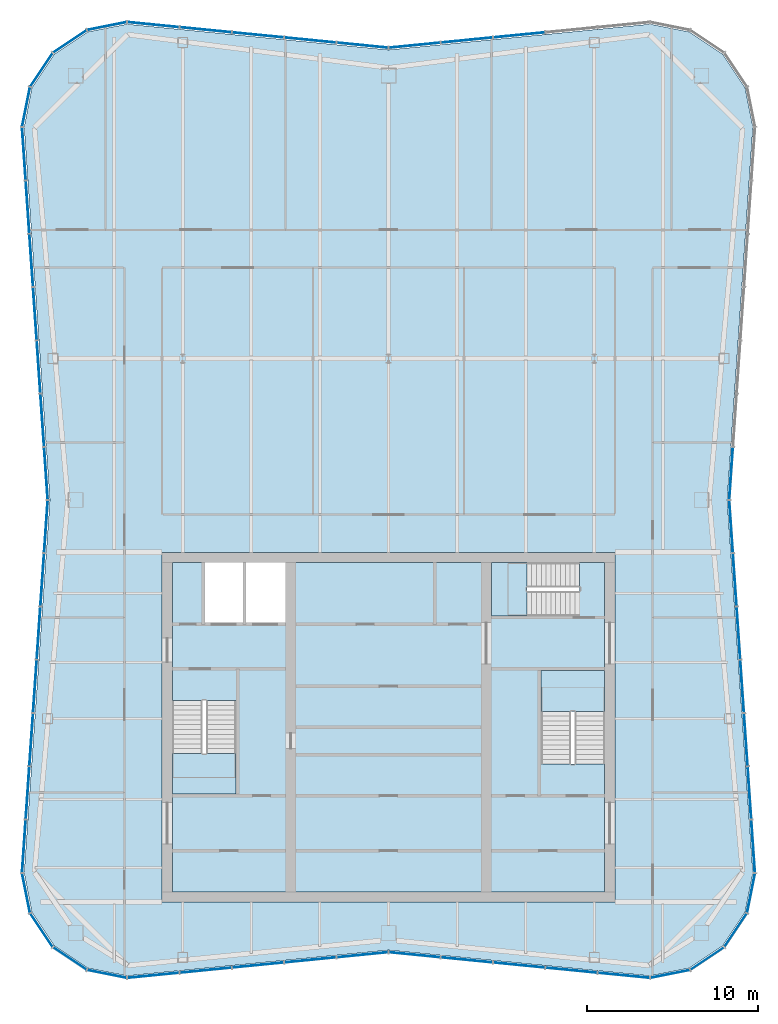
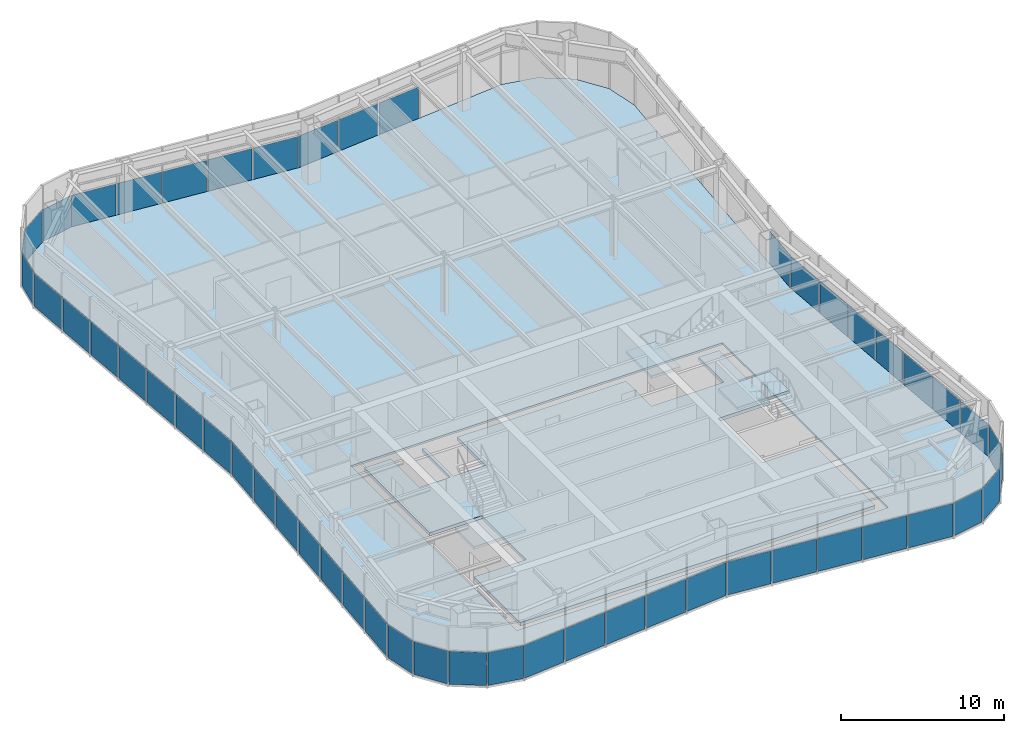
# One storey, part 8 of 13: 52 plates, 5 slabs, 10 elements without a shape of their own.
"""IFC4 building model written with IfcOpenShell, lengths in metres."""

import ifcopenshell
import ifcopenshell.guid

model = None  # the IFC model being written
_history = None  # IfcOwnerHistory: only IFC2X3 demands one
_inside = {}  # id of a spatial element -> (the spatial element, [elements in it])
_under = {}  # id of a project, library or spatial element -> (it, [spatial elements below it])
_declared = {}  # id of a project -> (the project, [libraries it declares])
_typed = {}  # id of a type object -> (the type object, [elements of that type])
_made_of = {}  # id of a material, layer set ... -> (it, [elements and type objects made of it])


def new_model(schema):
    """Start an empty IFC model of exactly this schema.

    Asked for "IFC4X3", IfcOpenShell would pick the latest addendum, in which some entities
    have other attributes; the version numbers below select the first issue.
    IFC2X3 requires an IfcOwnerHistory on every rooted entity: one is made here for all.
    """
    global model, _history
    if schema == "IFC4X3":
        model = ifcopenshell.file(schema_version=(4, 3, 0, 0))
    else:
        model = ifcopenshell.file(schema=schema)
    _inside.clear()
    _under.clear()
    _declared.clear()
    _typed.clear()
    _made_of.clear()
    _history = None
    if model.schema == "IFC2X3":
        org = make("IfcOrganization", Name="unknown")
        user = make(
            "IfcPersonAndOrganization",
            ThePerson=make("IfcPerson", FamilyName="unknown"),
            TheOrganization=org,
        )
        app = make(
            "IfcApplication",
            ApplicationDeveloper=org,
            Version="unknown",
            ApplicationFullName="unknown",
            ApplicationIdentifier="unknown",
        )
        _history = make(
            "IfcOwnerHistory",
            OwningUser=user,
            OwningApplication=app,
            ChangeAction="ADDED",
            CreationDate=0,
        )
    return model


def make(cls, **values):
    """One entity of the class cls with the attributes given. An attribute that is None is left unset."""
    return model.create_entity(
        cls, **{name: value for name, value in values.items() if value is not None}
    )


def rooted(cls, **values):
    """An entity with a GlobalId (a new one), such as an element, a storey or a relation."""
    return make(cls, GlobalId=ifcopenshell.guid.new(), OwnerHistory=_history, **values)


def si_unit(unit_type, name, prefix=None):
    """IfcSIUnit, for example si_unit("LENGTHUNIT", "METRE", prefix="MILLI")."""
    return make("IfcSIUnit", UnitType=unit_type, Prefix=prefix, Name=name)


def assignment(units):
    """IfcUnitAssignment: the units of a project."""
    return None if units is None else make("IfcUnitAssignment", Units=units)


def point(xyz):
    """IfcCartesianPoint."""
    return None if xyz is None else make("IfcCartesianPoint", Coordinates=xyz)


def direction(xyz):
    """IfcDirection."""
    return None if xyz is None else make("IfcDirection", DirectionRatios=xyz)


def frame(location, z_axis=None, x_axis=None):
    """IfcAxis2Placement3D, a coordinate frame: its origin and axes. An axis left out is left unset."""
    return make(
        "IfcAxis2Placement3D",
        Location=point(location),
        Axis=direction(z_axis),
        RefDirection=direction(x_axis),
    )


def frame_2d(location, x_axis=None):
    """IfcAxis2Placement2D, a coordinate frame in the plane: its origin and x axis."""
    return make(
        "IfcAxis2Placement2D", Location=point(location), RefDirection=direction(x_axis)
    )


def origin():
    """The frame at (0, 0, 0) with its axes left unset."""
    return frame((0.0, 0.0, 0.0))


def origin_2d():
    """The frame at (0, 0) in the plane with its x axis left unset."""
    return frame_2d((0.0, 0.0))


def place(relative_to, where):
    """IfcLocalPlacement: puts the frame where relative to a parent placement (None: the world)."""
    return make(
        "IfcLocalPlacement", PlacementRelTo=relative_to, RelativePlacement=where
    )


def context(
    kind, dimensions, precision=None, world=None, true_north=None, identifier=None
):
    """IfcGeometricRepresentationContext, for example the 3D "Model" context."""
    return make(
        "IfcGeometricRepresentationContext",
        ContextIdentifier=identifier,
        ContextType=kind,
        CoordinateSpaceDimension=dimensions,
        Precision=precision,
        WorldCoordinateSystem=world,
        TrueNorth=true_north,
    )


def subcontext(parent, identifier, kind, view, scale=None):
    """IfcGeometricRepresentationSubContext, for example "Body" below "Model"."""
    return make(
        "IfcGeometricRepresentationSubContext",
        ContextIdentifier=identifier,
        ContextType=kind,
        ParentContext=parent,
        TargetScale=scale,
        TargetView=view,
    )


def project(units=None, contexts=None):
    """IfcProject with its units and contexts."""
    return rooted(
        "IfcProject",
        Name="project",
        RepresentationContexts=contexts,
        UnitsInContext=assignment(units),
    )


def spatial(cls, under=None, at=None, **own):
    """A site, building, storey or space (cls), placed at a placement, below another one or the project."""
    s = rooted(cls, ObjectPlacement=at, **own)
    if under is not None:
        _under.setdefault(under.id(), (under, []))[1].append(s)
    return s


def polyline(points):
    """IfcPolyline through the points."""
    return make("IfcPolyline", Points=[point(p) for p in points])


def profile(cls, at=None, kind="AREA", **sizes):
    """A parametric profile (cls). Its sizes go by their IFC names, for example OverallWidth=200.0."""
    return make(cls, ProfileType=kind, Position=at, **sizes)


def rectangle(**sizes):
    """IfcRectangleProfileDef."""
    return profile("IfcRectangleProfileDef", **sizes)


def outline(outer, holes=None, kind="AREA"):
    """IfcArbitraryClosedProfileDef: a profile drawn as a closed curve; with holes, ...WithVoids."""
    if holes is None:
        return make("IfcArbitraryClosedProfileDef", ProfileType=kind, OuterCurve=outer)
    return make(
        "IfcArbitraryProfileDefWithVoids",
        ProfileType=kind,
        OuterCurve=outer,
        InnerCurves=holes,
    )


def extrude(swept, where, along, depth):
    """IfcExtrudedAreaSolid: the profile swept, set in the frame where, extruded along a direction by depth."""
    return make(
        "IfcExtrudedAreaSolid",
        SweptArea=swept,
        Position=where,
        ExtrudedDirection=direction(along),
        Depth=depth,
    )


def shape(context_of_items, identifier, shape_type, items):
    """IfcShapeRepresentation: the items that make up one representation, for example the "Body"."""
    return make(
        "IfcShapeRepresentation",
        ContextOfItems=context_of_items,
        RepresentationIdentifier=identifier,
        RepresentationType=shape_type,
        Items=items,
    )


def material(Name=None, Category=None):
    """IfcMaterial."""
    return make("IfcMaterial", Name=Name, Category=Category)


def layer(
    of_material, thickness, ventilated=None, Name=None, Category=None, Priority=None
):
    """IfcMaterialLayer: one layer of a wall or slab, of a material (None: an air gap)."""
    return make(
        "IfcMaterialLayer",
        Material=of_material,
        LayerThickness=thickness,
        IsVentilated=ventilated,
        Name=Name,
        Category=Category,
        Priority=Priority,
    )


def layer_set(layers, Name=None):
    """IfcMaterialLayerSet."""
    return make("IfcMaterialLayerSet", MaterialLayers=layers, LayerSetName=Name)


def made_of(thing, what):
    """Note that an element or type object is made of a material, layer set ...; save() writes the relation."""
    if what is not None:
        _made_of.setdefault(what.id(), (what, []))[1].append(thing)
    return thing


def type_object(cls, material=None, **own):
    """A type object (cls), such as IfcWallType, which elements share."""
    return made_of(rooted(cls, **own), material)


def element(
    cls,
    number,
    at=None,
    inside=None,
    cuts=None,
    type_object=None,
    material=None,
    context=None,
    identifier="Body",
    shape_type=None,
    held_by="IfcProductDefinitionShape",
    body=None,
    shapes=None,
    **own,
):
    """One element of the class cls, such as IfcWall. Its Tag is "e" and its number.

    at: its placement. inside: the storey or other place that contains it. cuts: it is an
    opening in that element (IfcRelVoidsElement). A single representation is given by context,
    identifier, shape_type and body (its items); several are given by shapes. held_by: the class
    of the entity that holds the representations. save() writes the other relations.
    """
    e = rooted(cls, Tag="e%d" % number, ObjectPlacement=at, **own)
    if body is not None:
        shapes = [shape(context, identifier, shape_type, body)]
    if shapes is not None:
        e.Representation = make(held_by, Representations=shapes)
    if inside is not None:
        _inside.setdefault(inside.id(), (inside, []))[1].append(e)
    if cuts is not None:
        rooted(
            "IfcRelVoidsElement", RelatingBuildingElement=cuts, RelatedOpeningElement=e
        )
    if type_object is not None:
        _typed.setdefault(type_object.id(), (type_object, []))[1].append(e)
    return made_of(e, material)


def aggregate(whole, parts):
    """IfcRelAggregates: a whole, such as a stair, and the parts it consists of."""
    return rooted("IfcRelAggregates", RelatingObject=whole, RelatedObjects=parts)


def save(model, path):
    """Write the relations noted so far, then the file.

    IfcRelAggregates (storeys below a building ...), IfcRelContainedInSpatialStructure (elements
    in a storey), IfcRelDefinesByType, IfcRelAssociatesMaterial and IfcRelDeclares: one each for
    every whole, place, type object, material and project.
    """
    for whole, parts in _under.values():
        aggregate(whole, parts)
    for where, things in _inside.values():
        rooted(
            "IfcRelContainedInSpatialStructure",
            RelatedElements=things,
            RelatingStructure=where,
        )
    for kind, things in _typed.values():
        rooted("IfcRelDefinesByType", RelatedObjects=things, RelatingType=kind)
    for what, things in _made_of.values():
        rooted("IfcRelAssociatesMaterial", RelatedObjects=things, RelatingMaterial=what)
    for by, libraries in _declared.values():
        rooted("IfcRelDeclares", RelatingContext=by, RelatedDefinitions=libraries)
    model.write(path)


model = new_model("IFC4")

# Units and contexts
model_context = context("Model", 3, precision=1e-05, world=origin(), true_north=direction((0.0, 1.0)))
body_context = subcontext(model_context, "Body", "Model", "MODEL_VIEW")
ifc_project = project(units=[si_unit("LENGTHUNIT", "METRE"), si_unit("AREAUNIT", "SQUARE_METRE"), si_unit("VOLUMEUNIT", "CUBIC_METRE"), si_unit("PLANEANGLEUNIT", "RADIAN"), si_unit("MASSUNIT", "GRAM", prefix="KILO")], contexts=[model_context])

# Site, building, storey
site_placement = place(None, origin())
site = spatial("IfcSite", under=ifc_project, at=site_placement, CompositionType="ELEMENT")
building_placement = place(site_placement, origin())
building = spatial("IfcBuilding", under=site, at=building_placement, Name="Verdant Reach Tower", CompositionType="ELEMENT")
storey_placement = place(building_placement, frame((0.0, 0.0, 359.5)))
storey = spatial("IfcBuildingStorey", under=building, at=storey_placement, Name="L81 Plant", CompositionType="ELEMENT", Elevation=359.5)

# Stair, slab
ifc_material_1 = material(Name="Concrete C40/50", Category="concrete")
stair_type = type_object("IfcStairType", Name="CO-STAIR", PredefinedType="HALF_TURN_STAIR", material=ifc_material_1)
stair_1_placement = place(storey_placement, origin())
stair_1 = element("IfcStair", 1, at=stair_1_placement, inside=storey, type_object=stair_type, Name="L81 Plant Exit stair 1", PredefinedType="HALF_TURN_STAIR")
ifc_layer_1 = layer(ifc_material_1, 0.199951171875)
ifc_layer_set_1 = layer_set([ifc_layer_1], Name="CO-STAIR-LANDING")
slab_type_1 = type_object("IfcSlabType", Name="CO-STAIR-LANDING", PredefinedType="LANDING", material=ifc_layer_set_1)
slab_1_placement = place(storey_placement, frame((0.0, 0.0, 2.050048828125)))
slab_1 = element("IfcSlab", 2, at=slab_1_placement, type_object=slab_type_1, Name="ST-1 landing 1", PredefinedType="LANDING", context=body_context, shape_type="SweptSolid", body=[
    extrude(outline(polyline([(-12.60009765625, 26.469970703125), (-12.60009765625, 24.10009765625), (-8.89990234375, 24.10009765625), (-8.89990234375, 26.469970703125), (-12.60009765625, 26.469970703125)])), origin(), (0.0, 0.0, 1.0), 0.199951171875),
])
aggregate(stair_1, [slab_1])

stair_2_placement = place(storey_placement, origin())
stair_2 = element("IfcStair", 3, at=stair_2_placement, inside=storey, type_object=stair_type, Name="L81 Plant Exit stair 2", PredefinedType="HALF_TURN_STAIR")
slab_2_placement = place(storey_placement, frame((0.0, 0.0, 2.050048828125)))
slab_2 = element("IfcSlab", 4, at=slab_2_placement, type_object=slab_type_1, Name="ST-2 landing 1", PredefinedType="LANDING", context=body_context, shape_type="SweptSolid", body=[
    extrude(outline(polyline([(12.60009765625, 28.929931640625), (12.60009765625, 31.300048828125), (8.89990234375, 31.300048828125), (8.89990234375, 28.929931640625), (12.60009765625, 28.929931640625)])), origin(), (0.0, 0.0, 1.0), 0.199951171875),
])
aggregate(stair_2, [slab_2])

stair_3_placement = place(storey_placement, origin())
stair_3 = element("IfcStair", 5, at=stair_3_placement, inside=storey, type_object=stair_type, Name="L81 Plant Exit stair 3", PredefinedType="HALF_TURN_STAIR")
slab_3_placement = place(storey_placement, frame((0.0, 0.0, 2.050048828125)))
slab_3 = element("IfcSlab", 6, at=slab_3_placement, type_object=slab_type_1, Name="ST-3 landing 1", PredefinedType="LANDING", context=body_context, shape_type="SweptSolid", body=[
    extrude(outline(polyline([(8.070068359375, 37.60009765625), (6.0, 37.60009765625), (6.0, 34.5), (8.070068359375, 34.5), (8.070068359375, 37.60009765625)])), origin(), (0.0, 0.0, 1.0), 0.199951171875),
])
aggregate(stair_3, [slab_3])

# Curtain wall, plates
ifc_material_2 = material(Name="Anodised aluminium", Category="aluminium")
curtain_wall_type = type_object("IfcCurtainWallType", Name="EN-CW SYSTEM PLANT", PredefinedType="NOTDEFINED", material=ifc_material_2)
curtain_wall_1_placement = place(storey_placement, origin())
curtain_wall_1 = element("IfcCurtainWall", 7, at=curtain_wall_1_placement, inside=storey, type_object=curtain_wall_type, Name="Curtain wall south-east corner, L81", PredefinedType="NOTDEFINED")
ifc_material_3 = material(Name="Bronze anodised aluminium solid panel", Category="aluminium")
ifc_layer_2 = layer(ifc_material_3, 0.0400390625)
ifc_layer_set_2 = layer_set([ifc_layer_2], Name="EN-PANEL SOLID")
plate_type = type_object("IfcPlateType", Name="EN-PANEL SOLID", PredefinedType="CURTAIN_PANEL", material=ifc_layer_set_2)
plate_1_placement = place(storey_placement, frame((16.423828125, 13.614013671875, -0.199951171875), z_axis=(0.0, 0.0, 1.0), x_axis=(0.980705120874, 0.195492879387, 0.0)))
plate_1 = element("IfcPlate", 8, at=plate_1_placement, type_object=plate_type, Name="Solid panel south-east corner 1.1, L81", PredefinedType="CURTAIN_PANEL", context=body_context, shape_type="SweptSolid", body=[
    extrude(rectangle(XDim=2.3056640625, YDim=0.0400390625, at=origin_2d()), origin(), (0.0, 0.0, 1.0), 2.47509765625),
])
plate_2_placement = place(storey_placement, frame((18.584228515625, 14.510009765625, -0.199951171875), z_axis=(0.0, 0.0, 1.0), x_axis=(0.83145208321, 0.555596466265, 0.0)))
plate_2 = element("IfcPlate", 9, at=plate_2_placement, type_object=plate_type, Name="Solid panel south-east corner 2.1, L81", PredefinedType="CURTAIN_PANEL", context=body_context, shape_type="SweptSolid", body=[
    extrude(rectangle(XDim=2.3115234375, YDim=0.0400390625, at=origin_2d()), origin(), (0.0, 0.0, 1.0), 2.47509765625),
])
plate_3_placement = place(storey_placement, frame((20.239990234375, 16.165771484375, -0.199951171875), z_axis=(0.0, 0.0, 1.0), x_axis=(0.555596466265, 0.83145208321, 0.0)))
plate_3 = element("IfcPlate", 10, at=plate_3_placement, type_object=plate_type, Name="Solid panel south-east corner 3.1, L81", PredefinedType="CURTAIN_PANEL", context=body_context, shape_type="SweptSolid", body=[
    extrude(rectangle(XDim=2.3115234375, YDim=0.0400390625, at=origin_2d()), origin(), (0.0, 0.0, 1.0), 2.47509765625),
])
plate_4_placement = place(storey_placement, frame((21.135986328125, 18.325439453125, -0.199951171875), z_axis=(0.0, 0.0, 1.0), x_axis=(0.195592962334, 0.980685165119, 0.0)))
plate_4 = element("IfcPlate", 11, at=plate_4_placement, type_object=plate_type, Name="Solid panel south-east corner 4.1, L81", PredefinedType="CURTAIN_PANEL", context=body_context, shape_type="SweptSolid", body=[
    extrude(rectangle(XDim=2.303955078125, YDim=0.0400390625, at=origin_2d()), origin(), (0.0, 0.0, 1.0), 2.47509765625),
])
aggregate(curtain_wall_1, [plate_1, plate_2, plate_3, plate_4])

curtain_wall_2_placement = place(storey_placement, origin())
curtain_wall_2 = element("IfcCurtainWall", 12, at=curtain_wall_2_placement, inside=storey, type_object=curtain_wall_type, Name="Curtain wall east, L81", PredefinedType="NOTDEFINED")
plate_5_placement = place(storey_placement, frame((21.261474609375, 21.053955078125, -0.199951171875), z_axis=(0.0, 0.0, 1.0), x_axis=(-0.068469163133, 0.997653233193, 0.0)))
plate_5 = element("IfcPlate", 13, at=plate_5_placement, type_object=plate_type, Name="Solid panel east face part 1 1.1, L81", PredefinedType="CURTAIN_PANEL", context=body_context, shape_type="SweptSolid", body=[
    extrude(rectangle(XDim=3.05419921875, YDim=0.0400390625, at=origin_2d()), origin(), (0.0, 0.0, 1.0), 2.47509765625),
])
plate_6_placement = place(storey_placement, frame((21.04736328125, 24.1689453125, -0.199951171875), z_axis=(0.0, 0.0, 1.0), x_axis=(-0.068802091615, 0.997630328423, 0.0)))
plate_6 = element("IfcPlate", 14, at=plate_6_placement, type_object=plate_type, Name="Solid panel east face part 1 2.1, L81", PredefinedType="CURTAIN_PANEL", context=body_context, shape_type="SweptSolid", body=[
    extrude(rectangle(XDim=3.03857421875, YDim=0.0400390625, at=origin_2d()), origin(), (0.0, 0.0, 1.0), 2.47509765625),
])
plate_7_placement = place(storey_placement, frame((20.8330078125, 27.276123046875, -0.199951171875), z_axis=(0.0, 0.0, 1.0), x_axis=(-0.068802091615, 0.997630328423, 0.0)))
plate_7 = element("IfcPlate", 15, at=plate_7_placement, type_object=plate_type, Name="Solid panel east face part 1 3.1, L81", PredefinedType="CURTAIN_PANEL", context=body_context, shape_type="SweptSolid", body=[
    extrude(rectangle(XDim=3.03857421875, YDim=0.0400390625, at=origin_2d()), origin(), (0.0, 0.0, 1.0), 2.47509765625),
])
plate_8_placement = place(storey_placement, frame((20.61865234375, 30.38330078125, -0.199951171875), z_axis=(0.0, 0.0, 1.0), x_axis=(-0.068802091615, 0.997630328423, 0.0)))
plate_8 = element("IfcPlate", 16, at=plate_8_placement, type_object=plate_type, Name="Solid panel east face part 1 4.1, L81", PredefinedType="CURTAIN_PANEL", context=body_context, shape_type="SweptSolid", body=[
    extrude(rectangle(XDim=3.03857421875, YDim=0.0400390625, at=origin_2d()), origin(), (0.0, 0.0, 1.0), 2.47509765625),
])
plate_9_placement = place(storey_placement, frame((20.404541015625, 33.490234375, -0.199951171875), z_axis=(0.0, 0.0, 1.0), x_axis=(-0.068802091615, 0.997630328423, 0.0)))
plate_9 = element("IfcPlate", 17, at=plate_9_placement, type_object=plate_type, Name="Solid panel east face part 1 5.1, L81", PredefinedType="CURTAIN_PANEL", context=body_context, shape_type="SweptSolid", body=[
    extrude(rectangle(XDim=3.03857421875, YDim=0.0400390625, at=origin_2d()), origin(), (0.0, 0.0, 1.0), 2.47509765625),
])
plate_10_placement = place(storey_placement, frame((20.190185546875, 36.597412109375, -0.199951171875), z_axis=(0.0, 0.0, 1.0), x_axis=(-0.068802091615, 0.997630328423, 0.0)))
plate_10 = element("IfcPlate", 18, at=plate_10_placement, type_object=plate_type, Name="Solid panel east face part 1 6.1, L81", PredefinedType="CURTAIN_PANEL", context=body_context, shape_type="SweptSolid", body=[
    extrude(rectangle(XDim=3.03857421875, YDim=0.0400390625, at=origin_2d()), origin(), (0.0, 0.0, 1.0), 2.47509765625),
])
plate_11_placement = place(storey_placement, frame((19.97607421875, 39.700439453125, -0.199951171875), z_axis=(0.0, 0.0, 1.0), x_axis=(-0.068892655483, 0.997624078509, 0.0)))
plate_11 = element("IfcPlate", 19, at=plate_11_placement, type_object=plate_type, Name="Solid panel east face part 1 7.1, L81", PredefinedType="CURTAIN_PANEL", context=body_context, shape_type="SweptSolid", body=[
    extrude(rectangle(XDim=3.0302734375, YDim=0.0400390625, at=origin_2d()), origin(), (0.0, 0.0, 1.0), 2.47509765625),
])
plate_12_placement = place(storey_placement, frame((19.97607421875, 42.799560546875, -0.199951171875), z_axis=(0.0, 0.0, 1.0), x_axis=(0.068892655483, 0.997624078509, 0.0)))
plate_12 = element("IfcPlate", 20, at=plate_12_placement, type_object=plate_type, Name="Solid panel east face part 2 1.1, L81", PredefinedType="CURTAIN_PANEL", context=body_context, shape_type="SweptSolid", body=[
    extrude(rectangle(XDim=3.0302734375, YDim=0.0400390625, at=origin_2d()), origin(), (0.0, 0.0, 1.0), 2.47509765625),
])
aggregate(curtain_wall_2, [plate_5, plate_6, plate_7, plate_8, plate_9, plate_10, plate_11, plate_12])

curtain_wall_3_placement = place(storey_placement, origin())
curtain_wall_3 = element("IfcCurtainWall", 21, at=curtain_wall_3_placement, inside=storey, type_object=curtain_wall_type, Name="Curtain wall north, L81", PredefinedType="NOTDEFINED")
plate_13_placement = place(storey_placement, frame((7.61328125, 68.368408203125, -0.199951171875), z_axis=(0.0, 0.0, 1.0), x_axis=(-0.995197410875, -0.09788826992, 0.0)))
plate_13 = element("IfcPlate", 22, at=plate_13_placement, type_object=plate_type, Name="Solid panel north face part 1 3.1, L81", PredefinedType="CURTAIN_PANEL", context=body_context, shape_type="SweptSolid", body=[
    extrude(rectangle(XDim=2.98876953125, YDim=0.0400390625, at=origin_2d()), origin(), (0.0, 0.0, 1.0), 2.47509765625),
])
plate_14_placement = place(storey_placement, frame((4.563232421875, 68.068359375, -0.199951171875), z_axis=(0.0, 0.0, 1.0), x_axis=(-0.995197410875, -0.09788826992, 0.0)))
plate_14 = element("IfcPlate", 23, at=plate_14_placement, type_object=plate_type, Name="Solid panel north face part 1 4.1, L81", PredefinedType="CURTAIN_PANEL", context=body_context, shape_type="SweptSolid", body=[
    extrude(rectangle(XDim=2.98876953125, YDim=0.0400390625, at=origin_2d()), origin(), (0.0, 0.0, 1.0), 2.47509765625),
])
plate_15_placement = place(storey_placement, frame((1.519287109375, 67.768798828125, -0.199951171875), z_axis=(0.0, 0.0, 1.0), x_axis=(-0.995179069607, -0.098074560493, 0.0)))
plate_15 = element("IfcPlate", 24, at=plate_15_placement, type_object=plate_type, Name="Solid panel north face part 1 5.1, L81", PredefinedType="CURTAIN_PANEL", context=body_context, shape_type="SweptSolid", body=[
    extrude(rectangle(XDim=2.97705078125, YDim=0.0400390625, at=origin_2d()), origin(), (0.0, 0.0, 1.0), 2.47509765625),
])
plate_16_placement = place(storey_placement, frame((-1.519287109375, 67.768798828125, -0.199951171875), z_axis=(0.0, 0.0, 1.0), x_axis=(-0.995179069607, 0.098074560493, 0.0)))
plate_16 = element("IfcPlate", 25, at=plate_16_placement, type_object=plate_type, Name="Solid panel north face part 2 1.1, L81", PredefinedType="CURTAIN_PANEL", context=body_context, shape_type="SweptSolid", body=[
    extrude(rectangle(XDim=2.97705078125, YDim=0.0400390625, at=origin_2d()), origin(), (0.0, 0.0, 1.0), 2.47509765625),
])
plate_17_placement = place(storey_placement, frame((-4.563232421875, 68.068359375, -0.199951171875), z_axis=(0.0, 0.0, 1.0), x_axis=(-0.995197410875, 0.09788826992, 0.0)))
plate_17 = element("IfcPlate", 26, at=plate_17_placement, type_object=plate_type, Name="Solid panel north face part 2 2.1, L81", PredefinedType="CURTAIN_PANEL", context=body_context, shape_type="SweptSolid", body=[
    extrude(rectangle(XDim=2.98876953125, YDim=0.0400390625, at=origin_2d()), origin(), (0.0, 0.0, 1.0), 2.47509765625),
])
plate_18_placement = place(storey_placement, frame((-7.61328125, 68.368408203125, -0.199951171875), z_axis=(0.0, 0.0, 1.0), x_axis=(-0.995197410875, 0.09788826992, 0.0)))
plate_18 = element("IfcPlate", 27, at=plate_18_placement, type_object=plate_type, Name="Solid panel north face part 2 3.1, L81", PredefinedType="CURTAIN_PANEL", context=body_context, shape_type="SweptSolid", body=[
    extrude(rectangle(XDim=2.98876953125, YDim=0.0400390625, at=origin_2d()), origin(), (0.0, 0.0, 1.0), 2.47509765625),
])
plate_19_placement = place(storey_placement, frame((-10.663330078125, 68.66845703125, -0.199951171875), z_axis=(0.0, 0.0, 1.0), x_axis=(-0.995197410875, 0.09788826992, 0.0)))
plate_19 = element("IfcPlate", 28, at=plate_19_placement, type_object=plate_type, Name="Solid panel north face part 2 4.1, L81", PredefinedType="CURTAIN_PANEL", context=body_context, shape_type="SweptSolid", body=[
    extrude(rectangle(XDim=2.98876953125, YDim=0.0400390625, at=origin_2d()), origin(), (0.0, 0.0, 1.0), 2.47509765625),
])
plate_20_placement = place(storey_placement, frame((-13.72216796875, 68.96875, -0.199951171875), z_axis=(0.0, 0.0, 1.0), x_axis=(-0.995238191716, 0.097472774402, 0.0)))
plate_20 = element("IfcPlate", 29, at=plate_20_placement, type_object=plate_type, Name="Solid panel north face part 2 5.1, L81", PredefinedType="CURTAIN_PANEL", context=body_context, shape_type="SweptSolid", body=[
    extrude(rectangle(XDim=3.006103515625, YDim=0.0400390625, at=origin_2d()), origin(), (0.0, 0.0, 1.0), 2.47509765625),
])
aggregate(curtain_wall_3, [plate_13, plate_14, plate_15, plate_16, plate_17, plate_18, plate_19, plate_20])

curtain_wall_4_placement = place(storey_placement, origin())
curtain_wall_4 = element("IfcCurtainWall", 30, at=curtain_wall_4_placement, inside=storey, type_object=curtain_wall_type, Name="Curtain wall north-west corner, L81", PredefinedType="NOTDEFINED")
plate_21_placement = place(storey_placement, frame((-16.423828125, 68.885986328125, -0.199951171875), z_axis=(0.0, 0.0, 1.0), x_axis=(-0.980705120874, -0.195492879387, 0.0)))
plate_21 = element("IfcPlate", 31, at=plate_21_placement, type_object=plate_type, Name="Solid panel north-west corner 1.1, L81", PredefinedType="CURTAIN_PANEL", context=body_context, shape_type="SweptSolid", body=[
    extrude(rectangle(XDim=2.3056640625, YDim=0.0400390625, at=origin_2d()), origin(), (0.0, 0.0, 1.0), 2.47509765625),
])
plate_22_placement = place(storey_placement, frame((-18.584228515625, 67.989990234375, -0.199951171875), z_axis=(0.0, 0.0, 1.0), x_axis=(-0.83145208321, -0.555596466265, 0.0)))
plate_22 = element("IfcPlate", 32, at=plate_22_placement, type_object=plate_type, Name="Solid panel north-west corner 2.1, L81", PredefinedType="CURTAIN_PANEL", context=body_context, shape_type="SweptSolid", body=[
    extrude(rectangle(XDim=2.3115234375, YDim=0.0400390625, at=origin_2d()), origin(), (0.0, 0.0, 1.0), 2.47509765625),
])
plate_23_placement = place(storey_placement, frame((-20.239990234375, 66.334228515625, -0.199951171875), z_axis=(0.0, 0.0, 1.0), x_axis=(-0.555596466265, -0.83145208321, 0.0)))
plate_23 = element("IfcPlate", 33, at=plate_23_placement, type_object=plate_type, Name="Solid panel north-west corner 3.1, L81", PredefinedType="CURTAIN_PANEL", context=body_context, shape_type="SweptSolid", body=[
    extrude(rectangle(XDim=2.3115234375, YDim=0.0400390625, at=origin_2d()), origin(), (0.0, 0.0, 1.0), 2.47509765625),
])
plate_24_placement = place(storey_placement, frame((-21.135986328125, 64.174560546875, -0.199951171875), z_axis=(0.0, 0.0, 1.0), x_axis=(-0.195592962334, -0.980685165119, 0.0)))
plate_24 = element("IfcPlate", 34, at=plate_24_placement, type_object=plate_type, Name="Solid panel north-west corner 4.1, L81", PredefinedType="CURTAIN_PANEL", context=body_context, shape_type="SweptSolid", body=[
    extrude(rectangle(XDim=2.303955078125, YDim=0.0400390625, at=origin_2d()), origin(), (0.0, 0.0, 1.0), 2.47509765625),
])
aggregate(curtain_wall_4, [plate_21, plate_22, plate_23, plate_24])

curtain_wall_5_placement = place(storey_placement, origin())
curtain_wall_5 = element("IfcCurtainWall", 35, at=curtain_wall_5_placement, inside=storey, type_object=curtain_wall_type, Name="Curtain wall west, L81", PredefinedType="NOTDEFINED")
plate_25_placement = place(storey_placement, frame((-21.261474609375, 61.446044921875, -0.199951171875), z_axis=(0.0, 0.0, 1.0), x_axis=(0.068469163133, -0.997653233193, 0.0)))
plate_25 = element("IfcPlate", 36, at=plate_25_placement, type_object=plate_type, Name="Solid panel west face part 1 1.1, L81", PredefinedType="CURTAIN_PANEL", context=body_context, shape_type="SweptSolid", body=[
    extrude(rectangle(XDim=3.05419921875, YDim=0.0400390625, at=origin_2d()), origin(), (0.0, 0.0, 1.0), 2.47509765625),
])
plate_26_placement = place(storey_placement, frame((-21.04736328125, 58.3310546875, -0.199951171875), z_axis=(0.0, 0.0, 1.0), x_axis=(0.068802091615, -0.997630328423, 0.0)))
plate_26 = element("IfcPlate", 37, at=plate_26_placement, type_object=plate_type, Name="Solid panel west face part 1 2.1, L81", PredefinedType="CURTAIN_PANEL", context=body_context, shape_type="SweptSolid", body=[
    extrude(rectangle(XDim=3.03857421875, YDim=0.0400390625, at=origin_2d()), origin(), (0.0, 0.0, 1.0), 2.47509765625),
])
plate_27_placement = place(storey_placement, frame((-20.8330078125, 55.223876953125, -0.199951171875), z_axis=(0.0, 0.0, 1.0), x_axis=(0.068802091615, -0.997630328423, 0.0)))
plate_27 = element("IfcPlate", 38, at=plate_27_placement, type_object=plate_type, Name="Solid panel west face part 1 3.1, L81", PredefinedType="CURTAIN_PANEL", context=body_context, shape_type="SweptSolid", body=[
    extrude(rectangle(XDim=3.03857421875, YDim=0.0400390625, at=origin_2d()), origin(), (0.0, 0.0, 1.0), 2.47509765625),
])
plate_28_placement = place(storey_placement, frame((-20.61865234375, 52.11669921875, -0.199951171875), z_axis=(0.0, 0.0, 1.0), x_axis=(0.068802091615, -0.997630328423, 0.0)))
plate_28 = element("IfcPlate", 39, at=plate_28_placement, type_object=plate_type, Name="Solid panel west face part 1 4.1, L81", PredefinedType="CURTAIN_PANEL", context=body_context, shape_type="SweptSolid", body=[
    extrude(rectangle(XDim=3.03857421875, YDim=0.0400390625, at=origin_2d()), origin(), (0.0, 0.0, 1.0), 2.47509765625),
])
plate_29_placement = place(storey_placement, frame((-20.404541015625, 49.009765625, -0.199951171875), z_axis=(0.0, 0.0, 1.0), x_axis=(0.068802091615, -0.997630328423, 0.0)))
plate_29 = element("IfcPlate", 40, at=plate_29_placement, type_object=plate_type, Name="Solid panel west face part 1 5.1, L81", PredefinedType="CURTAIN_PANEL", context=body_context, shape_type="SweptSolid", body=[
    extrude(rectangle(XDim=3.03857421875, YDim=0.0400390625, at=origin_2d()), origin(), (0.0, 0.0, 1.0), 2.47509765625),
])
plate_30_placement = place(storey_placement, frame((-20.190185546875, 45.902587890625, -0.199951171875), z_axis=(0.0, 0.0, 1.0), x_axis=(0.068802091615, -0.997630328423, 0.0)))
plate_30 = element("IfcPlate", 41, at=plate_30_placement, type_object=plate_type, Name="Solid panel west face part 1 6.1, L81", PredefinedType="CURTAIN_PANEL", context=body_context, shape_type="SweptSolid", body=[
    extrude(rectangle(XDim=3.03857421875, YDim=0.0400390625, at=origin_2d()), origin(), (0.0, 0.0, 1.0), 2.47509765625),
])
plate_31_placement = place(storey_placement, frame((-19.97607421875, 42.799560546875, -0.199951171875), z_axis=(0.0, 0.0, 1.0), x_axis=(0.068892655483, -0.997624078509, 0.0)))
plate_31 = element("IfcPlate", 42, at=plate_31_placement, type_object=plate_type, Name="Solid panel west face part 1 7.1, L81", PredefinedType="CURTAIN_PANEL", context=body_context, shape_type="SweptSolid", body=[
    extrude(rectangle(XDim=3.0302734375, YDim=0.0400390625, at=origin_2d()), origin(), (0.0, 0.0, 1.0), 2.47509765625),
])
plate_32_placement = place(storey_placement, frame((-19.97607421875, 39.700439453125, -0.199951171875), z_axis=(0.0, 0.0, 1.0), x_axis=(-0.068892655483, -0.997624078509, 0.0)))
plate_32 = element("IfcPlate", 43, at=plate_32_placement, type_object=plate_type, Name="Solid panel west face part 2 1.1, L81", PredefinedType="CURTAIN_PANEL", context=body_context, shape_type="SweptSolid", body=[
    extrude(rectangle(XDim=3.0302734375, YDim=0.0400390625, at=origin_2d()), origin(), (0.0, 0.0, 1.0), 2.47509765625),
])
plate_33_placement = place(storey_placement, frame((-20.190185546875, 36.597412109375, -0.199951171875), z_axis=(0.0, 0.0, 1.0), x_axis=(-0.068802091615, -0.997630328423, 0.0)))
plate_33 = element("IfcPlate", 44, at=plate_33_placement, type_object=plate_type, Name="Solid panel west face part 2 2.1, L81", PredefinedType="CURTAIN_PANEL", context=body_context, shape_type="SweptSolid", body=[
    extrude(rectangle(XDim=3.03857421875, YDim=0.0400390625, at=origin_2d()), origin(), (0.0, 0.0, 1.0), 2.47509765625),
])
plate_34_placement = place(storey_placement, frame((-20.404541015625, 33.490234375, -0.199951171875), z_axis=(0.0, 0.0, 1.0), x_axis=(-0.068802091615, -0.997630328423, 0.0)))
plate_34 = element("IfcPlate", 45, at=plate_34_placement, type_object=plate_type, Name="Solid panel west face part 2 3.1, L81", PredefinedType="CURTAIN_PANEL", context=body_context, shape_type="SweptSolid", body=[
    extrude(rectangle(XDim=3.03857421875, YDim=0.0400390625, at=origin_2d()), origin(), (0.0, 0.0, 1.0), 2.47509765625),
])
plate_35_placement = place(storey_placement, frame((-20.61865234375, 30.38330078125, -0.199951171875), z_axis=(0.0, 0.0, 1.0), x_axis=(-0.068802091615, -0.997630328423, 0.0)))
plate_35 = element("IfcPlate", 46, at=plate_35_placement, type_object=plate_type, Name="Solid panel west face part 2 4.1, L81", PredefinedType="CURTAIN_PANEL", context=body_context, shape_type="SweptSolid", body=[
    extrude(rectangle(XDim=3.03857421875, YDim=0.0400390625, at=origin_2d()), origin(), (0.0, 0.0, 1.0), 2.47509765625),
])
plate_36_placement = place(storey_placement, frame((-20.8330078125, 27.276123046875, -0.199951171875), z_axis=(0.0, 0.0, 1.0), x_axis=(-0.068802091615, -0.997630328423, 0.0)))
plate_36 = element("IfcPlate", 47, at=plate_36_placement, type_object=plate_type, Name="Solid panel west face part 2 5.1, L81", PredefinedType="CURTAIN_PANEL", context=body_context, shape_type="SweptSolid", body=[
    extrude(rectangle(XDim=3.03857421875, YDim=0.0400390625, at=origin_2d()), origin(), (0.0, 0.0, 1.0), 2.47509765625),
])
plate_37_placement = place(storey_placement, frame((-21.04736328125, 24.1689453125, -0.199951171875), z_axis=(0.0, 0.0, 1.0), x_axis=(-0.068802091615, -0.997630328423, 0.0)))
plate_37 = element("IfcPlate", 48, at=plate_37_placement, type_object=plate_type, Name="Solid panel west face part 2 6.1, L81", PredefinedType="CURTAIN_PANEL", context=body_context, shape_type="SweptSolid", body=[
    extrude(rectangle(XDim=3.03857421875, YDim=0.0400390625, at=origin_2d()), origin(), (0.0, 0.0, 1.0), 2.47509765625),
])
plate_38_placement = place(storey_placement, frame((-21.261474609375, 21.053955078125, -0.199951171875), z_axis=(0.0, 0.0, 1.0), x_axis=(-0.068469163133, -0.997653233193, 0.0)))
plate_38 = element("IfcPlate", 49, at=plate_38_placement, type_object=plate_type, Name="Solid panel west face part 2 7.1, L81", PredefinedType="CURTAIN_PANEL", context=body_context, shape_type="SweptSolid", body=[
    extrude(rectangle(XDim=3.05419921875, YDim=0.0400390625, at=origin_2d()), origin(), (0.0, 0.0, 1.0), 2.47509765625),
])
aggregate(curtain_wall_5, [plate_25, plate_26, plate_27, plate_28, plate_29, plate_30, plate_31, plate_32, plate_33, plate_34, plate_35, plate_36, plate_37, plate_38])

curtain_wall_6_placement = place(storey_placement, origin())
curtain_wall_6 = element("IfcCurtainWall", 50, at=curtain_wall_6_placement, inside=storey, type_object=curtain_wall_type, Name="Curtain wall south-west corner, L81", PredefinedType="NOTDEFINED")
plate_39_placement = place(storey_placement, frame((-21.135986328125, 18.325439453125, -0.199951171875), z_axis=(0.0, 0.0, 1.0), x_axis=(0.195592962334, -0.980685165119, 0.0)))
plate_39 = element("IfcPlate", 51, at=plate_39_placement, type_object=plate_type, Name="Solid panel south-west corner 1.1, L81", PredefinedType="CURTAIN_PANEL", context=body_context, shape_type="SweptSolid", body=[
    extrude(rectangle(XDim=2.303955078125, YDim=0.0400390625, at=origin_2d()), origin(), (0.0, 0.0, 1.0), 2.47509765625),
])
plate_40_placement = place(storey_placement, frame((-20.239990234375, 16.165771484375, -0.199951171875), z_axis=(0.0, 0.0, 1.0), x_axis=(0.555596466265, -0.83145208321, 0.0)))
plate_40 = element("IfcPlate", 52, at=plate_40_placement, type_object=plate_type, Name="Solid panel south-west corner 2.1, L81", PredefinedType="CURTAIN_PANEL", context=body_context, shape_type="SweptSolid", body=[
    extrude(rectangle(XDim=2.3115234375, YDim=0.0400390625, at=origin_2d()), origin(), (0.0, 0.0, 1.0), 2.47509765625),
])
plate_41_placement = place(storey_placement, frame((-18.584228515625, 14.510009765625, -0.199951171875), z_axis=(0.0, 0.0, 1.0), x_axis=(0.83145208321, -0.555596466265, 0.0)))
plate_41 = element("IfcPlate", 53, at=plate_41_placement, type_object=plate_type, Name="Solid panel south-west corner 3.1, L81", PredefinedType="CURTAIN_PANEL", context=body_context, shape_type="SweptSolid", body=[
    extrude(rectangle(XDim=2.3115234375, YDim=0.0400390625, at=origin_2d()), origin(), (0.0, 0.0, 1.0), 2.47509765625),
])
plate_42_placement = place(storey_placement, frame((-16.423828125, 13.614013671875, -0.199951171875), z_axis=(0.0, 0.0, 1.0), x_axis=(0.980705120874, -0.195492879387, 0.0)))
plate_42 = element("IfcPlate", 54, at=plate_42_placement, type_object=plate_type, Name="Solid panel south-west corner 4.1, L81", PredefinedType="CURTAIN_PANEL", context=body_context, shape_type="SweptSolid", body=[
    extrude(rectangle(XDim=2.3056640625, YDim=0.0400390625, at=origin_2d()), origin(), (0.0, 0.0, 1.0), 2.47509765625),
])
aggregate(curtain_wall_6, [plate_39, plate_40, plate_41, plate_42])

curtain_wall_7_placement = place(storey_placement, origin())
curtain_wall_7 = element("IfcCurtainWall", 55, at=curtain_wall_7_placement, inside=storey, type_object=curtain_wall_type, Name="Curtain wall south, L81", PredefinedType="NOTDEFINED")
plate_43_placement = place(storey_placement, frame((-13.72216796875, 13.53125, -0.199951171875), z_axis=(0.0, 0.0, 1.0), x_axis=(0.995238191716, 0.097472774402, 0.0)))
plate_43 = element("IfcPlate", 56, at=plate_43_placement, type_object=plate_type, Name="Solid panel south face part 1 1.1, L81", PredefinedType="CURTAIN_PANEL", context=body_context, shape_type="SweptSolid", body=[
    extrude(rectangle(XDim=3.006103515625, YDim=0.0400390625, at=origin_2d()), origin(), (0.0, 0.0, 1.0), 2.47509765625),
])
plate_44_placement = place(storey_placement, frame((-10.663330078125, 13.83154296875, -0.199951171875), z_axis=(0.0, 0.0, 1.0), x_axis=(0.995197410875, 0.09788826992, 0.0)))
plate_44 = element("IfcPlate", 57, at=plate_44_placement, type_object=plate_type, Name="Solid panel south face part 1 2.1, L81", PredefinedType="CURTAIN_PANEL", context=body_context, shape_type="SweptSolid", body=[
    extrude(rectangle(XDim=2.98876953125, YDim=0.0400390625, at=origin_2d()), origin(), (0.0, 0.0, 1.0), 2.47509765625),
])
plate_45_placement = place(storey_placement, frame((-7.61328125, 14.131591796875, -0.199951171875), z_axis=(0.0, 0.0, 1.0), x_axis=(0.995197410875, 0.09788826992, 0.0)))
plate_45 = element("IfcPlate", 58, at=plate_45_placement, type_object=plate_type, Name="Solid panel south face part 1 3.1, L81", PredefinedType="CURTAIN_PANEL", context=body_context, shape_type="SweptSolid", body=[
    extrude(rectangle(XDim=2.98876953125, YDim=0.0400390625, at=origin_2d()), origin(), (0.0, 0.0, 1.0), 2.47509765625),
])
plate_46_placement = place(storey_placement, frame((-4.563232421875, 14.431640625, -0.199951171875), z_axis=(0.0, 0.0, 1.0), x_axis=(0.995197410875, 0.09788826992, 0.0)))
plate_46 = element("IfcPlate", 59, at=plate_46_placement, type_object=plate_type, Name="Solid panel south face part 1 4.1, L81", PredefinedType="CURTAIN_PANEL", context=body_context, shape_type="SweptSolid", body=[
    extrude(rectangle(XDim=2.98876953125, YDim=0.0400390625, at=origin_2d()), origin(), (0.0, 0.0, 1.0), 2.47509765625),
])
plate_47_placement = place(storey_placement, frame((-1.519287109375, 14.731201171875, -0.199951171875), z_axis=(0.0, 0.0, 1.0), x_axis=(0.995179069607, 0.098074560493, 0.0)))
plate_47 = element("IfcPlate", 60, at=plate_47_placement, type_object=plate_type, Name="Solid panel south face part 1 5.1, L81", PredefinedType="CURTAIN_PANEL", context=body_context, shape_type="SweptSolid", body=[
    extrude(rectangle(XDim=2.97705078125, YDim=0.0400390625, at=origin_2d()), origin(), (0.0, 0.0, 1.0), 2.47509765625),
])
plate_48_placement = place(storey_placement, frame((1.519287109375, 14.731201171875, -0.199951171875), z_axis=(0.0, 0.0, 1.0), x_axis=(0.995179069607, -0.098074560493, 0.0)))
plate_48 = element("IfcPlate", 61, at=plate_48_placement, type_object=plate_type, Name="Solid panel south face part 2 1.1, L81", PredefinedType="CURTAIN_PANEL", context=body_context, shape_type="SweptSolid", body=[
    extrude(rectangle(XDim=2.97705078125, YDim=0.0400390625, at=origin_2d()), origin(), (0.0, 0.0, 1.0), 2.47509765625),
])
plate_49_placement = place(storey_placement, frame((4.563232421875, 14.431640625, -0.199951171875), z_axis=(0.0, 0.0, 1.0), x_axis=(0.995197410875, -0.09788826992, 0.0)))
plate_49 = element("IfcPlate", 62, at=plate_49_placement, type_object=plate_type, Name="Solid panel south face part 2 2.1, L81", PredefinedType="CURTAIN_PANEL", context=body_context, shape_type="SweptSolid", body=[
    extrude(rectangle(XDim=2.98876953125, YDim=0.0400390625, at=origin_2d()), origin(), (0.0, 0.0, 1.0), 2.47509765625),
])
plate_50_placement = place(storey_placement, frame((7.61328125, 14.131591796875, -0.199951171875), z_axis=(0.0, 0.0, 1.0), x_axis=(0.995197410875, -0.09788826992, 0.0)))
plate_50 = element("IfcPlate", 63, at=plate_50_placement, type_object=plate_type, Name="Solid panel south face part 2 3.1, L81", PredefinedType="CURTAIN_PANEL", context=body_context, shape_type="SweptSolid", body=[
    extrude(rectangle(XDim=2.98876953125, YDim=0.0400390625, at=origin_2d()), origin(), (0.0, 0.0, 1.0), 2.47509765625),
])
plate_51_placement = place(storey_placement, frame((10.663330078125, 13.83154296875, -0.199951171875), z_axis=(0.0, 0.0, 1.0), x_axis=(0.995197410875, -0.09788826992, 0.0)))
plate_51 = element("IfcPlate", 64, at=plate_51_placement, type_object=plate_type, Name="Solid panel south face part 2 4.1, L81", PredefinedType="CURTAIN_PANEL", context=body_context, shape_type="SweptSolid", body=[
    extrude(rectangle(XDim=2.98876953125, YDim=0.0400390625, at=origin_2d()), origin(), (0.0, 0.0, 1.0), 2.47509765625),
])
plate_52_placement = place(storey_placement, frame((13.72216796875, 13.53125, -0.199951171875), z_axis=(0.0, 0.0, 1.0), x_axis=(0.995238191716, -0.097472774402, 0.0)))
plate_52 = element("IfcPlate", 65, at=plate_52_placement, type_object=plate_type, Name="Solid panel south face part 2 5.1, L81", PredefinedType="CURTAIN_PANEL", context=body_context, shape_type="SweptSolid", body=[
    extrude(rectangle(XDim=3.006103515625, YDim=0.0400390625, at=origin_2d()), origin(), (0.0, 0.0, 1.0), 2.47509765625),
])
aggregate(curtain_wall_7, [plate_43, plate_44, plate_45, plate_46, plate_47, plate_48, plate_49, plate_50, plate_51, plate_52])

# Slabs
ifc_material_4 = material(Name="Concrete C35/45", Category="concrete")
ifc_layer_3 = layer(ifc_material_4, 0.14990234375)
ifc_layer_set_3 = layer_set([ifc_layer_3], Name="ST-SLAB-150")
slab_type_2 = type_object("IfcSlabType", Name="ST-SLAB-150", PredefinedType="FLOOR", material=ifc_layer_set_3)
slab_4_placement = place(storey_placement, frame((0.0, 0.0, -0.14990234375)))
element("IfcSlab", 66, at=slab_4_placement, inside=storey, type_object=slab_type_2, Name="Floor slab L81 Plant", PredefinedType="FLOOR", context=body_context, shape_type="SweptSolid", body=[
    extrude(outline(polyline([(0.0, 15.0), (-15.25, 13.5), (-17.546142578125, 13.956787109375), (-19.49267578125, 15.25732421875), (-20.793212890625, 17.203857421875), (-21.25, 19.5), (-19.75, 41.25), (-21.25, 63.0), (-20.793212890625, 65.296142578125), (-19.49267578125, 67.24267578125), (-17.546142578125, 68.543212890625), (-15.25, 69.0), (0.0, 67.5), (15.25, 69.0), (17.546142578125, 68.543212890625), (19.49267578125, 67.24267578125), (20.793212890625, 65.296142578125), (21.25, 63.0), (19.75, 41.25), (21.25, 19.5), (20.793212890625, 17.203857421875), (19.49267578125, 15.25732421875), (17.546142578125, 13.956787109375), (15.25, 13.5), (0.0, 15.0)]), holes=[polyline([(13.199951171875, 38.199951171875), (-13.199951171875, 38.199951171875), (-13.199951171875, 17.800048828125), (13.199951171875, 17.800048828125), (13.199951171875, 38.199951171875)])]), origin(), (0.0, 0.0, 1.0), 0.14990234375),
])
ifc_layer_4 = layer(ifc_material_4, 0.25)
ifc_layer_set_4 = layer_set([ifc_layer_4], Name="ST-SLAB-250")
slab_type_3 = type_object("IfcSlabType", Name="ST-SLAB-250", PredefinedType="FLOOR", material=ifc_layer_set_4)
slab_5_placement = place(storey_placement, frame((0.0, 0.0, -0.25)))
element("IfcSlab", 67, at=slab_5_placement, inside=storey, type_object=slab_type_3, Name="Core floor slab L81 Plant", PredefinedType="FLOOR", context=body_context, shape_type="SweptSolid", body=[
    extrude(outline(polyline([(12.60009765625, 18.39990234375), (-12.60009765625, 18.39990234375), (-12.60009765625, 24.10009765625), (-8.89990234375, 24.10009765625), (-8.89990234375, 29.548095703125), (-12.60009765625, 29.548095703125), (-12.60009765625, 37.60009765625), (-10.699951171875, 37.60009765625), (-10.699951171875, 34.10009765625), (-8.5, 34.10009765625), (-8.5, 37.60009765625), (-8.300048828125, 37.60009765625), (-8.300048828125, 34.10009765625), (-6.0, 34.10009765625), (-6.0, 37.60009765625), (6.0, 37.60009765625), (6.0, 34.5), (11.14794921875, 34.5), (11.14794921875, 37.60009765625), (12.60009765625, 37.60009765625), (12.60009765625, 31.300048828125), (8.89990234375, 31.300048828125), (8.89990234375, 25.85205078125), (12.60009765625, 25.85205078125), (12.60009765625, 18.39990234375)])), origin(), (0.0, 0.0, 1.0), 0.25),
])

save(model, "model.ifc")
